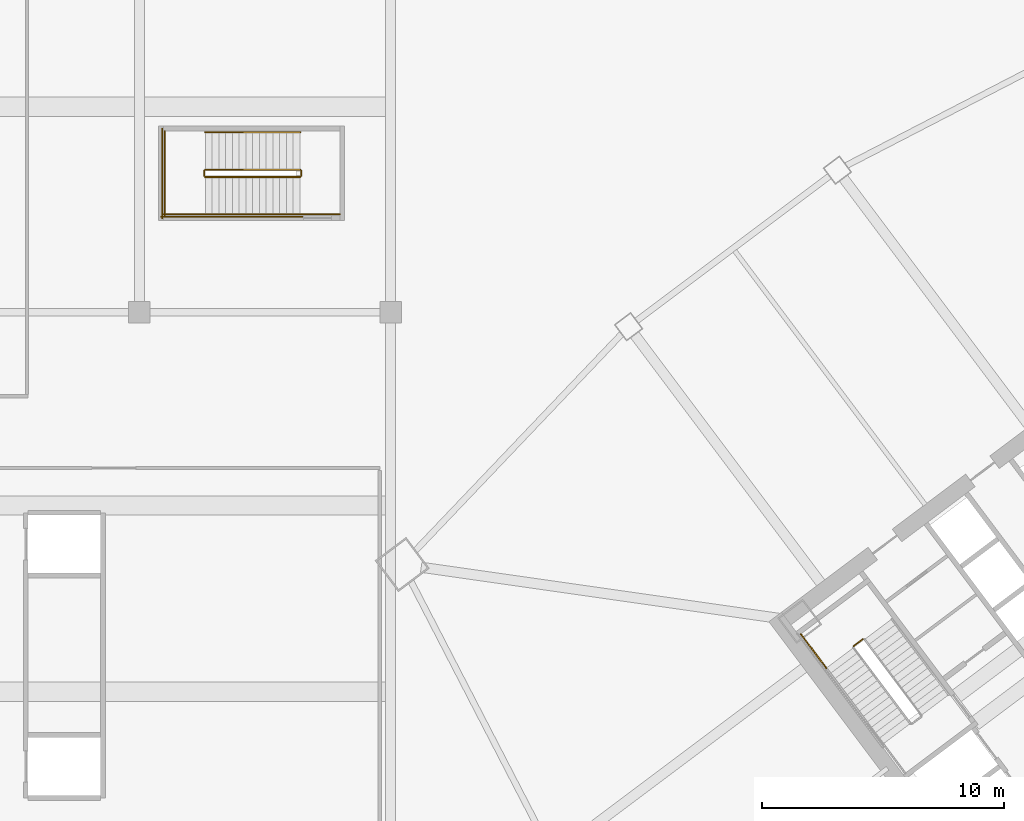
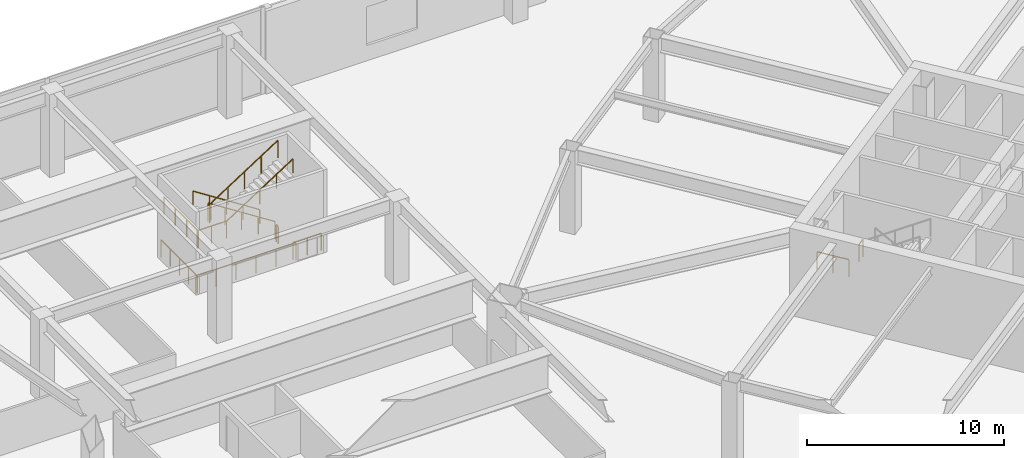
# One storey, part 46 of 48: 13 railings.
"""IFC4 building model written with IfcOpenShell, lengths in metres."""

from ifc_helpers import new_model, si_unit, direction, frame, origin, origin_2d, place, context, subcontext, project, spatial, rectangle, extrude, material, type_object, element, save


model = new_model("IFC4")

# Units and contexts
model_context = context("Model", 3, precision=1e-05, world=origin(), true_north=direction((0.0, 1.0)))
body_context = subcontext(model_context, "Body", "Model", "MODEL_VIEW")
ifc_project = project(units=[si_unit("LENGTHUNIT", "METRE"), si_unit("AREAUNIT", "SQUARE_METRE"), si_unit("VOLUMEUNIT", "CUBIC_METRE"), si_unit("PLANEANGLEUNIT", "RADIAN"), si_unit("MASSUNIT", "GRAM", prefix="KILO")], contexts=[model_context])

# Site, building, storey
site_placement = place(None, origin())
site = spatial("IfcSite", under=ifc_project, at=site_placement, CompositionType="ELEMENT")
building_placement = place(site_placement, origin())
building = spatial("IfcBuilding", under=site, at=building_placement, Name="Tashvorn Skyway Center", CompositionType="ELEMENT")
storey_placement = place(building_placement, frame((0.0, 0.0, 10.199951171875)))
storey = spatial("IfcBuildingStorey", under=building, at=storey_placement, Name="L02", CompositionType="ELEMENT", Elevation=10.199951171875)

# Railings
ifc_material_1 = material(Name="Brushed stainless steel 316", Category="steel")
railing_type_1 = type_object("IfcRailingType", Name="RAIL-HAND-920", PredefinedType="HANDRAIL", material=ifc_material_1)
railing_1_placement = place(storey_placement, frame((83.449951171875, 53.64990234375, 0.179931640625)))
element("IfcRailing", 1, at=railing_1_placement, inside=storey, type_object=railing_type_1, Name="L02 ST-POD-2 stair handrail 1", PredefinedType="HANDRAIL", context=body_context, shape_type="SweptSolid", body=[
    extrude(rectangle(XDim=0.048095703125, YDim=0.048095703125, at=origin_2d()), frame((0.0, 0.0, 0.8759765625), z_axis=(-0.841171666519, 0.0, 0.540768182723), x_axis=(0.0, -1.0, 0.0)), (0.0, 0.0, 1.0), 4.66015625),
    extrude(rectangle(XDim=0.0419921875, YDim=0.0419921875, at=origin_2d()), origin(), (0.0, 0.0, 1.0), 0.851806640625),
    extrude(rectangle(XDim=0.0419921875, YDim=0.0419921875, at=origin_2d()), frame((-0.97998046875, 0.0, 0.6298828125)), (0.0, 0.0, 1.0), 0.851806640625),
    extrude(rectangle(XDim=0.0419921875, YDim=0.0419921875, at=origin_2d()), frame((-1.9599609375, 0.0, 1.260009765625)), (0.0, 0.0, 1.0), 0.851806640625),
    extrude(rectangle(XDim=0.0419921875, YDim=0.0419921875, at=origin_2d()), frame((-2.93994140625, 0.0, 1.89013671875)), (0.0, 0.0, 1.0), 0.851806640625),
    extrude(rectangle(XDim=0.0419921875, YDim=0.0419921875, at=origin_2d()), frame((-3.919921875, 0.0, 2.52001953125)), (0.0, 0.0, 1.0), 0.851806640625),
])
railing_2_placement = place(storey_placement, frame((79.530029296875, 50.25, 2.880126953125)))
element("IfcRailing", 2, at=railing_2_placement, inside=storey, type_object=railing_type_1, Name="L02 ST-POD-2 stair handrail 2", PredefinedType="HANDRAIL", context=body_context, shape_type="SweptSolid", body=[
    extrude(rectangle(XDim=0.048095703125, YDim=0.048095703125, at=origin_2d()), frame((0.0, 0.0, 0.8759765625), z_axis=(0.841171666519, 0.0, 0.540768182723), x_axis=(0.0, 1.0, 0.0)), (0.0, 0.0, 1.0), 4.66015625),
    extrude(rectangle(XDim=0.0419921875, YDim=0.0419921875, at=origin_2d()), origin(), (0.0, 0.0, 1.0), 0.851806640625),
    extrude(rectangle(XDim=0.0419921875, YDim=0.0419921875, at=origin_2d()), frame((0.97998046875, 0.0, 0.6298828125)), (0.0, 0.0, 1.0), 0.851806640625),
    extrude(rectangle(XDim=0.0419921875, YDim=0.0419921875, at=origin_2d()), frame((1.9599609375, 0.0, 1.260009765625)), (0.0, 0.0, 1.0), 0.851806640625),
    extrude(rectangle(XDim=0.0419921875, YDim=0.0419921875, at=origin_2d()), frame((2.93994140625, 0.0, 1.89013671875)), (0.0, 0.0, 1.0), 0.851806640625),
    extrude(rectangle(XDim=0.0419921875, YDim=0.0419921875, at=origin_2d()), frame((3.919921875, 0.0, 2.52001953125)), (0.0, 0.0, 1.0), 0.851806640625),
])
ifc_material_2 = material(Name="Painted galvanized steel S355", Category="steel")
railing_type_2 = type_object("IfcRailingType", Name="RAIL-STGUARD-1100", PredefinedType="GUARDRAIL", material=ifc_material_2)
railing_3_placement = place(storey_placement, frame((106.74609375, 32.672119140625, 2.699951171875)))
element("IfcRailing", 3, at=railing_3_placement, inside=storey, type_object=railing_type_2, Name="L02 ST-T2-1 stair guard 2", PredefinedType="GUARDRAIL", context=body_context, shape_type="SweptSolid", body=[
    extrude(rectangle(XDim=0.048095703125, YDim=0.048095703125, at=origin_2d()), frame((0.0, 0.0, 1.076171875), z_axis=(-0.799938970639, -0.600081363861, 0.0), x_axis=(0.600081363861, -0.799938970639, 0.0)), (0.0, 0.0, 1.0), 0.47998046875),
    extrude(rectangle(XDim=0.0419921875, YDim=0.0419921875, at=origin_2d()), origin(), (0.0, 0.0, 1.0), 1.052001953125),
    extrude(rectangle(XDim=0.0419921875, YDim=0.0419921875, at=origin_2d()), frame((-0.384033203125, -0.2880859375, 0.0)), (0.0, 0.0, 1.0), 1.052001953125),
])
railing_4_placement = place(storey_placement, frame((105.23193359375, 31.47412109375, 2.699951171875)))
element("IfcRailing", 4, at=railing_4_placement, inside=storey, type_object=railing_type_2, Name="L02 ST-T2-1 stair guard 3", PredefinedType="GUARDRAIL", context=body_context, shape_type="SweptSolid", body=[
    extrude(rectangle(XDim=0.048095703125, YDim=0.048095703125, at=origin_2d()), frame((0.0, 0.0, 1.076171875), z_axis=(-0.599977804058, 0.800016646475, 0.0), x_axis=(-0.800016646475, -0.599977804058, 0.0)), (0.0, 0.0, 1.0), 1.760009765625),
    extrude(rectangle(XDim=0.0419921875, YDim=0.0419921875, at=origin_2d()), origin(), (0.0, 0.0, 1.0), 1.052001953125),
    extrude(rectangle(XDim=0.0419921875, YDim=0.0419921875, at=origin_2d()), frame((-0.52783203125, 0.7041015625, 0.0)), (0.0, 0.0, 1.0), 1.052001953125),
    extrude(rectangle(XDim=0.0419921875, YDim=0.0419921875, at=origin_2d()), frame((-1.055908203125, 1.407958984375, 0.0)), (0.0, 0.0, 1.0), 1.052001953125),
])
railing_5_placement = place(storey_placement, frame((83.449951171875, 52.10009765625, 0.179931640625)))
element("IfcRailing", 5, at=railing_5_placement, inside=storey, type_object=railing_type_2, Name="L02 ST-POD-2 stair guard 1", PredefinedType="GUARDRAIL", context=body_context, shape_type="SweptSolid", body=[
    extrude(rectangle(XDim=0.048095703125, YDim=0.048095703125, at=origin_2d()), frame((0.0, 0.0, 1.076171875), z_axis=(-0.841171666519, 0.0, 0.540768182723), x_axis=(0.0, -1.0, 0.0)), (0.0, 0.0, 1.0), 4.66015625),
    extrude(rectangle(XDim=0.0419921875, YDim=0.0419921875, at=origin_2d()), origin(), (0.0, 0.0, 1.0), 1.052001953125),
    extrude(rectangle(XDim=0.0419921875, YDim=0.0419921875, at=origin_2d()), frame((-0.97998046875, 0.0, 0.6298828125)), (0.0, 0.0, 1.0), 1.052001953125),
    extrude(rectangle(XDim=0.0419921875, YDim=0.0419921875, at=origin_2d()), frame((-1.9599609375, 0.0, 1.260009765625)), (0.0, 0.0, 1.0), 1.052001953125),
    extrude(rectangle(XDim=0.0419921875, YDim=0.0419921875, at=origin_2d()), frame((-2.93994140625, 0.0, 1.89013671875)), (0.0, 0.0, 1.0), 1.052001953125),
    extrude(rectangle(XDim=0.0419921875, YDim=0.0419921875, at=origin_2d()), frame((-3.919921875, 0.0, 2.52001953125)), (0.0, 0.0, 1.0), 1.052001953125),
])
railing_6_placement = place(storey_placement, frame((79.47998046875, 52.050048828125, 2.699951171875)))
element("IfcRailing", 6, at=railing_6_placement, inside=storey, type_object=railing_type_2, Name="L02 ST-POD-2 stair guard 2", PredefinedType="GUARDRAIL", context=body_context, shape_type="SweptSolid", body=[
    extrude(rectangle(XDim=0.048095703125, YDim=0.048095703125, at=origin_2d()), frame((0.0, 0.0, 1.076171875), z_axis=(0.0, -1.0, 0.0), x_axis=(1.0, 0.0, 0.0)), (0.0, 0.0, 1.0), 0.199951171875),
    extrude(rectangle(XDim=0.0419921875, YDim=0.0419921875, at=origin_2d()), origin(), (0.0, 0.0, 1.0), 1.052001953125),
    extrude(rectangle(XDim=0.0419921875, YDim=0.0419921875, at=origin_2d()), frame((0.0, -0.199951171875, 0.0)), (0.0, 0.0, 1.0), 1.052001953125),
])
railing_7_placement = place(storey_placement, frame((79.530029296875, 50.25, 2.699951171875)))
element("IfcRailing", 7, at=railing_7_placement, inside=storey, type_object=railing_type_2, Name="L02 ST-POD-2 stair guard 3", PredefinedType="GUARDRAIL", context=body_context, shape_type="SweptSolid", body=[
    extrude(rectangle(XDim=0.048095703125, YDim=0.048095703125, at=origin_2d()), frame((0.0, 0.0, 1.076171875), z_axis=(-1.0, 0.0, 0.0), x_axis=(0.0, -1.0, 0.0)), (0.0, 0.0, 1.0), 1.72998046875),
    extrude(rectangle(XDim=0.0419921875, YDim=0.0419921875, at=origin_2d()), origin(), (0.0, 0.0, 1.0), 1.052001953125),
    extrude(rectangle(XDim=0.0419921875, YDim=0.0419921875, at=origin_2d()), frame((-0.864990234375, 0.0, 0.0)), (0.0, 0.0, 1.0), 1.052001953125),
    extrude(rectangle(XDim=0.0419921875, YDim=0.0419921875, at=origin_2d()), frame((-1.72998046875, 0.0, 0.0)), (0.0, 0.0, 1.0), 1.052001953125),
])
railing_8_placement = place(storey_placement, frame((77.85009765625, 53.699951171875, 2.699951171875)))
element("IfcRailing", 8, at=railing_8_placement, inside=storey, type_object=railing_type_2, Name="L02 ST-POD-2 stair guard 4", PredefinedType="GUARDRAIL", context=body_context, shape_type="SweptSolid", body=[
    extrude(rectangle(XDim=0.048095703125, YDim=0.048095703125, at=origin_2d()), frame((0.0, 0.0, 1.076171875), z_axis=(0.0, -1.0, 0.0), x_axis=(1.0, 0.0, 0.0)), (0.0, 0.0, 1.0), 3.5),
    extrude(rectangle(XDim=0.0419921875, YDim=0.0419921875, at=origin_2d()), origin(), (0.0, 0.0, 1.0), 1.052001953125),
    extrude(rectangle(XDim=0.0419921875, YDim=0.0419921875, at=origin_2d()), frame((0.0, -1.166748046875, 0.0)), (0.0, 0.0, 1.0), 1.052001953125),
    extrude(rectangle(XDim=0.0419921875, YDim=0.0419921875, at=origin_2d()), frame((0.0, -2.333251953125, 0.0)), (0.0, 0.0, 1.0), 1.052001953125),
    extrude(rectangle(XDim=0.0419921875, YDim=0.0419921875, at=origin_2d()), frame((0.0, -3.5, 0.0)), (0.0, 0.0, 1.0), 1.052001953125),
])
railing_9_placement = place(storey_placement, frame((79.530029296875, 51.800048828125, 2.880126953125)))
element("IfcRailing", 9, at=railing_9_placement, inside=storey, type_object=railing_type_2, Name="L02 ST-POD-2 stair guard 5", PredefinedType="GUARDRAIL", context=body_context, shape_type="SweptSolid", body=[
    extrude(rectangle(XDim=0.048095703125, YDim=0.048095703125, at=origin_2d()), frame((0.0, 0.0, 1.076171875), z_axis=(0.841171666519, 0.0, 0.540768182723), x_axis=(0.0, 1.0, 0.0)), (0.0, 0.0, 1.0), 4.66015625),
    extrude(rectangle(XDim=0.0419921875, YDim=0.0419921875, at=origin_2d()), origin(), (0.0, 0.0, 1.0), 1.052001953125),
    extrude(rectangle(XDim=0.0419921875, YDim=0.0419921875, at=origin_2d()), frame((0.97998046875, 0.0, 0.6298828125)), (0.0, 0.0, 1.0), 1.052001953125),
    extrude(rectangle(XDim=0.0419921875, YDim=0.0419921875, at=origin_2d()), frame((1.9599609375, 0.0, 1.260009765625)), (0.0, 0.0, 1.0), 1.052001953125),
    extrude(rectangle(XDim=0.0419921875, YDim=0.0419921875, at=origin_2d()), frame((2.93994140625, 0.0, 1.89013671875)), (0.0, 0.0, 1.0), 1.052001953125),
    extrude(rectangle(XDim=0.0419921875, YDim=0.0419921875, at=origin_2d()), frame((3.919921875, 0.0, 2.52001953125)), (0.0, 0.0, 1.0), 1.052001953125),
])
railing_10_placement = place(storey_placement, frame((83.5, 52.050048828125, 0.0)))
element("IfcRailing", 10, at=railing_10_placement, inside=storey, type_object=railing_type_2, Name="L02 ST-POD-2 stair guard 6", PredefinedType="GUARDRAIL", context=body_context, shape_type="SweptSolid", body=[
    extrude(rectangle(XDim=0.048095703125, YDim=0.048095703125, at=origin_2d()), frame((0.0, 0.0, 1.076171875), z_axis=(0.0, -1.0, 0.0), x_axis=(1.0, 0.0, 0.0)), (0.0, 0.0, 1.0), 0.199951171875),
    extrude(rectangle(XDim=0.0419921875, YDim=0.0419921875, at=origin_2d()), origin(), (0.0, 0.0, 1.0), 1.052001953125),
    extrude(rectangle(XDim=0.0419921875, YDim=0.0419921875, at=origin_2d()), frame((0.0, -0.199951171875, 0.0)), (0.0, 0.0, 1.0), 1.052001953125),
])
railing_11_placement = place(storey_placement, frame((85.10009765625, 50.25, 0.0)))
element("IfcRailing", 11, at=railing_11_placement, inside=storey, type_object=railing_type_2, Name="L02 ST-POD-2 stair guard 7", PredefinedType="GUARDRAIL", context=body_context, shape_type="SweptSolid", body=[
    extrude(rectangle(XDim=0.048095703125, YDim=0.048095703125, at=origin_2d()), frame((0.0, 0.0, 1.076171875), z_axis=(-1.0, 0.0, 0.0), x_axis=(0.0, -1.0, 0.0)), (0.0, 0.0, 1.0), 1.650146484375),
    extrude(rectangle(XDim=0.0419921875, YDim=0.0419921875, at=origin_2d()), origin(), (0.0, 0.0, 1.0), 1.052001953125),
    extrude(rectangle(XDim=0.0419921875, YDim=0.0419921875, at=origin_2d()), frame((-0.8251953125, 0.0, 0.0)), (0.0, 0.0, 1.0), 1.052001953125),
    extrude(rectangle(XDim=0.0419921875, YDim=0.0419921875, at=origin_2d()), frame((-1.650146484375, 0.0, 0.0)), (0.0, 0.0, 1.0), 1.052001953125),
])
railing_12_placement = place(storey_placement, frame((83.550048828125, 50.14990234375, 0.0)))
element("IfcRailing", 12, at=railing_12_placement, inside=storey, type_object=railing_type_2, Name="L02 ST-POD-2 stair guard 8", PredefinedType="GUARDRAIL", context=body_context, shape_type="SweptSolid", body=[
    extrude(rectangle(XDim=0.048095703125, YDim=0.048095703125, at=origin_2d()), frame((0.0, 0.0, 1.076171875), z_axis=(-1.0, 0.0, 0.0), x_axis=(0.0, -1.0, 0.0)), (0.0, 0.0, 1.0), 5.85009765625),
    extrude(rectangle(XDim=0.0419921875, YDim=0.0419921875, at=origin_2d()), origin(), (0.0, 0.0, 1.0), 1.052001953125),
    extrude(rectangle(XDim=0.0419921875, YDim=0.0419921875, at=origin_2d()), frame((-1.169921875, 0.0, 0.0)), (0.0, 0.0, 1.0), 1.052001953125),
    extrude(rectangle(XDim=0.0419921875, YDim=0.0419921875, at=origin_2d()), frame((-2.340087890625, 0.0, 0.0)), (0.0, 0.0, 1.0), 1.052001953125),
    extrude(rectangle(XDim=0.0419921875, YDim=0.0419921875, at=origin_2d()), frame((-3.510009765625, 0.0, 0.0)), (0.0, 0.0, 1.0), 1.052001953125),
    extrude(rectangle(XDim=0.0419921875, YDim=0.0419921875, at=origin_2d()), frame((-4.68017578125, 0.0, 0.0)), (0.0, 0.0, 1.0), 1.052001953125),
    extrude(rectangle(XDim=0.0419921875, YDim=0.0419921875, at=origin_2d()), frame((-5.85009765625, 0.0, 0.0)), (0.0, 0.0, 1.0), 1.052001953125),
])
railing_13_placement = place(storey_placement, frame((77.75, 53.800048828125, 0.0)))
element("IfcRailing", 13, at=railing_13_placement, inside=storey, type_object=railing_type_2, Name="L02 ST-POD-2 stair guard 9", PredefinedType="GUARDRAIL", context=body_context, shape_type="SweptSolid", body=[
    extrude(rectangle(XDim=0.048095703125, YDim=0.048095703125, at=origin_2d()), frame((0.0, 0.0, 1.076171875), z_axis=(0.0, -1.0, 0.0), x_axis=(1.0, 0.0, 0.0)), (0.0, 0.0, 1.0), 3.699951171875),
    extrude(rectangle(XDim=0.0419921875, YDim=0.0419921875, at=origin_2d()), origin(), (0.0, 0.0, 1.0), 1.052001953125),
    extrude(rectangle(XDim=0.0419921875, YDim=0.0419921875, at=origin_2d()), frame((0.0, -0.925048828125, 0.0)), (0.0, 0.0, 1.0), 1.052001953125),
    extrude(rectangle(XDim=0.0419921875, YDim=0.0419921875, at=origin_2d()), frame((0.0, -1.85009765625, 0.0)), (0.0, 0.0, 1.0), 1.052001953125),
    extrude(rectangle(XDim=0.0419921875, YDim=0.0419921875, at=origin_2d()), frame((0.0, -2.77490234375, 0.0)), (0.0, 0.0, 1.0), 1.052001953125),
    extrude(rectangle(XDim=0.0419921875, YDim=0.0419921875, at=origin_2d()), frame((0.0, -3.699951171875, 0.0)), (0.0, 0.0, 1.0), 1.052001953125),
])

save(model, "model.ifc")
